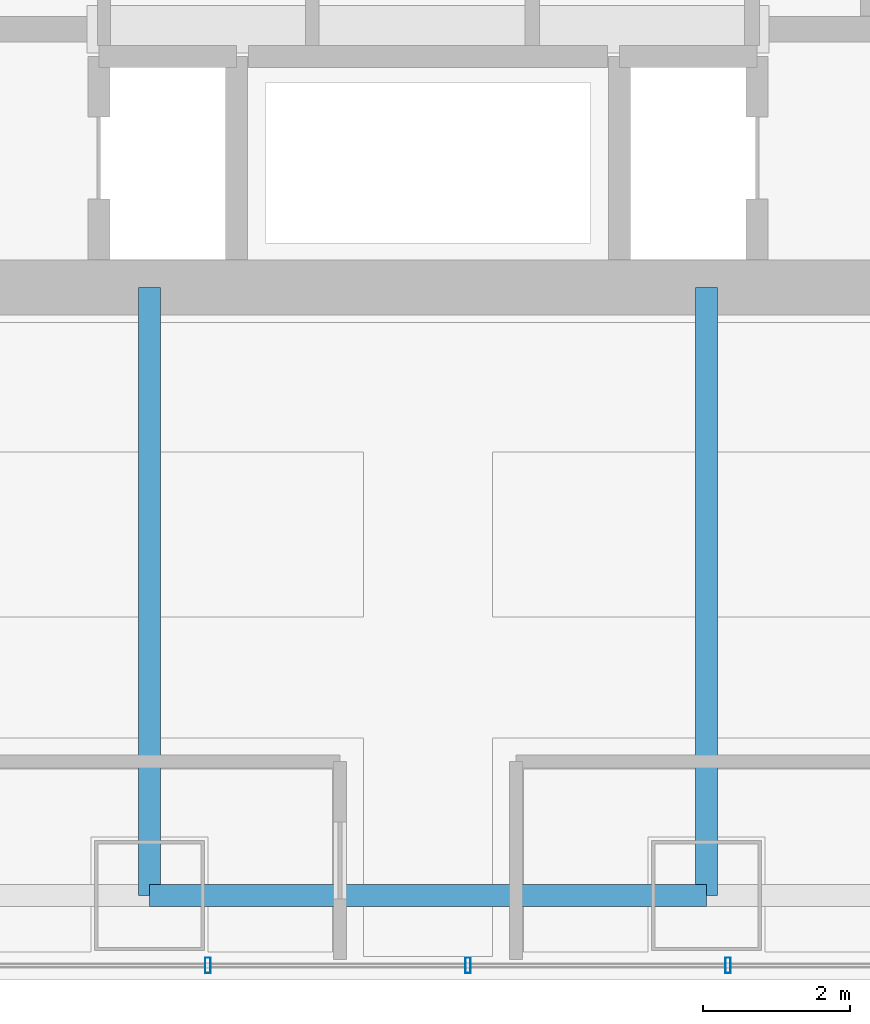
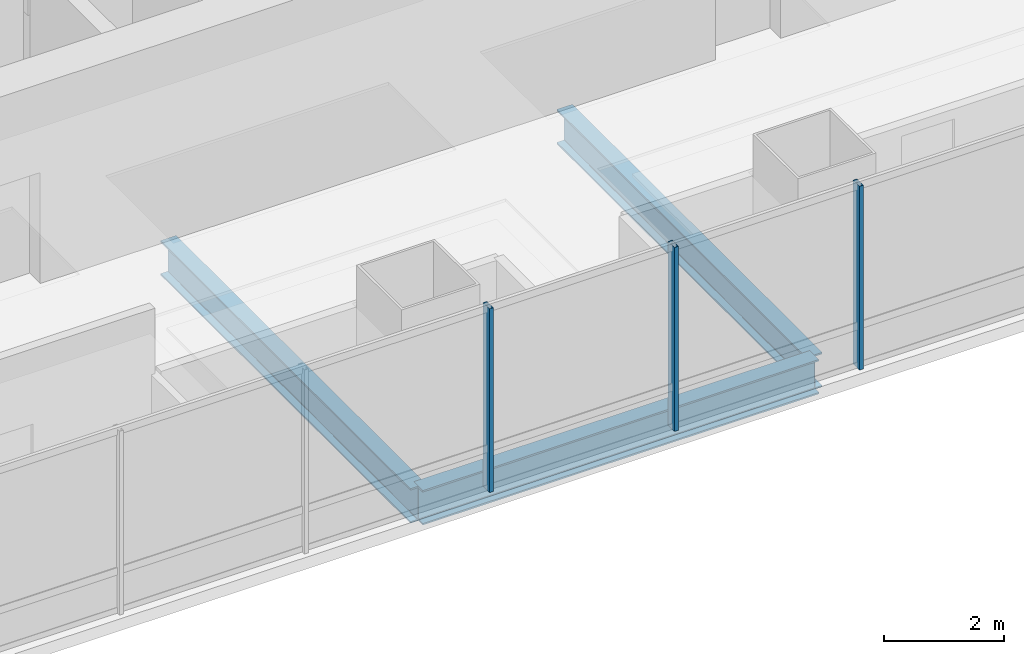
# One storey, part 5 of 33: 3 beams, 3 members, 1 element without a shape of its own.
"""IFC4 building model written with IfcOpenShell, lengths in metres."""

from ifc_helpers import new_model, si_unit, direction, frame, origin, origin_2d, place, context, subcontext, project, spatial, hollow_rectangle, i_section, extrude, material, material_profile, profile_set, type_object, element, aggregate, save


model = new_model("IFC4")

# Units and contexts
model_context = context("Model", 3, precision=1e-05, world=origin(), true_north=direction((0.0, 1.0)))
body_context = subcontext(model_context, "Body", "Model", "MODEL_VIEW")
ifc_project = project(units=[si_unit("LENGTHUNIT", "METRE"), si_unit("AREAUNIT", "SQUARE_METRE"), si_unit("VOLUMEUNIT", "CUBIC_METRE"), si_unit("PLANEANGLEUNIT", "RADIAN"), si_unit("MASSUNIT", "GRAM", prefix="KILO")], contexts=[model_context])

# Site, building, storey
site_placement = place(None, origin())
site = spatial("IfcSite", under=ifc_project, at=site_placement, CompositionType="ELEMENT")
building_placement = place(site_placement, origin())
building = spatial("IfcBuilding", under=site, at=building_placement, Name="Punatoya Terracotta Tower", CompositionType="ELEMENT")
storey_placement = place(building_placement, frame((0.0, 0.0, 121.35009765625)))
storey = spatial("IfcBuildingStorey", under=building, at=storey_placement, Name="L28", CompositionType="ELEMENT", Elevation=121.35009765625)

# Beams
ifc_material_1 = material(Name="Steel S355", Category="steel")
ifc_material_profile_1 = material_profile(ifc_material_1, i_section(OverallWidth=0.300048828125, OverallDepth=0.699951171875, WebThickness=0.01708984375, FlangeThickness=0.031982421875, FilletRadius=0.01806640625, at=origin_2d()))
ifc_profile_set_1 = profile_set([ifc_material_profile_1], Name="Steel S355")
beam_type = type_object("IfcBeamType", Name="BM-PRI-700", PredefinedType="BEAM", material=ifc_profile_set_1)
beam_placement = place(storey_placement, frame((-3.800048828125, -17.5, -0.590087890625), z_axis=(1.0, 0.0, 0.0), x_axis=(0.0, 1.0, 0.0)))
element("IfcBeam", 1, at=beam_placement, inside=storey, type_object=beam_type, Name="BM-L28-RG-S2", PredefinedType="BEAM", context=body_context, shape_type="SweptSolid", body=[
    extrude(i_section(OverallWidth=0.300048828125, OverallDepth=0.699951171875, WebThickness=0.01708984375, FlangeThickness=0.031982421875, FilletRadius=0.01806640625, at=origin_2d()), origin(), (0.0, 0.0, 1.0), 7.60009765625),
])
for number, where, z_axis, x_axis, name in (
    (2, (-3.800048828125, -17.5, -0.590087890625), (0.0, 1.0, 0.0), (-1.0, 0.0, 0.0), "BM-L28-PR-S2"),
    (3, (3.800048828125, -17.5, -0.590087890625), (0.0, 1.0, 0.0), (-1.0, 0.0, 0.0), "BM-L28-PR-S3"),
):
    element("IfcBeam", number, at=place(storey_placement, frame(where, z_axis=z_axis, x_axis=x_axis)), inside=storey, type_object=beam_type, Name=name, PredefinedType="BEAM", context=body_context, shape_type="SweptSolid", body=[
        extrude(i_section(OverallWidth=0.300048828125, OverallDepth=0.699951171875, WebThickness=0.01708984375, FlangeThickness=0.031982421875, FilletRadius=0.01806640625, at=origin_2d()), origin(), (0.0, 0.0, 1.0), 8.300048828125),
    ])

# Curtain wall, members
ifc_material_2 = material(Name="Aluminium 6063-T6 + Double Low-E Glass", Category="aluminium")
curtain_wall_type = type_object("IfcCurtainWallType", Name="CW-M1", PredefinedType="NOTDEFINED", material=ifc_material_2)
curtain_wall_placement = place(storey_placement, origin())
curtain_wall = element("IfcCurtainWall", 4, at=curtain_wall_placement, inside=storey, type_object=curtain_wall_type, Name="L28 Curtain Wall CW-L28-S01-1", PredefinedType="NOTDEFINED")
ifc_material_3 = material(Name="Aluminium 6063-T6", Category="aluminium")
ifc_material_profile_2 = material_profile(ifc_material_3, hollow_rectangle(XDim=0.074951171875, YDim=0.2099609375, WallThickness=0.00439453125, at=origin_2d()))
ifc_profile_set_2 = profile_set([ifc_material_profile_2], Name="Aluminium 6063-T6")
member_type = type_object("IfcMemberType", Name="CW-MUL-M1", PredefinedType="MULLION", material=ifc_profile_set_2)
member_1_placement = place(storey_placement, frame((-3.00390625, -18.449951171875, 0.0), z_axis=(0.0, 0.0, 1.0), x_axis=(1.0, 0.0, 0.0)))
member_1 = element("IfcMember", 5, at=member_1_placement, type_object=member_type, Name="CW-L28-S01-1 Mullion 03", PredefinedType="MULLION", context=body_context, shape_type="SweptSolid", body=[
    extrude(hollow_rectangle(XDim=0.074951171875, YDim=0.2099609375, WallThickness=0.00439453125, at=origin_2d()), origin(), (0.0, 0.0, 1.0), 3.72998046875),
])
member_2_placement = place(storey_placement, frame((0.544921875, -18.449951171875, 0.0), z_axis=(0.0, 0.0, 1.0), x_axis=(1.0, 0.0, 0.0)))
member_2 = element("IfcMember", 6, at=member_2_placement, type_object=member_type, Name="CW-L28-S01-1 Mullion 04", PredefinedType="MULLION", context=body_context, shape_type="SweptSolid", body=[
    extrude(hollow_rectangle(XDim=0.074951171875, YDim=0.2099609375, WallThickness=0.00439453125, at=origin_2d()), origin(), (0.0, 0.0, 1.0), 3.72998046875),
])
member_3_placement = place(storey_placement, frame((4.093505859375, -18.449951171875, 0.0), z_axis=(0.0, 0.0, 1.0), x_axis=(1.0, 0.0, 0.0)))
member_3 = element("IfcMember", 7, at=member_3_placement, type_object=member_type, Name="CW-L28-S01-1 Mullion 05", PredefinedType="MULLION", context=body_context, shape_type="SweptSolid", body=[
    extrude(hollow_rectangle(XDim=0.074951171875, YDim=0.2099609375, WallThickness=0.00439453125, at=origin_2d()), origin(), (0.0, 0.0, 1.0), 3.72998046875),
])
aggregate(curtain_wall, [member_1, member_2, member_3])

save(model, "model.ifc")
